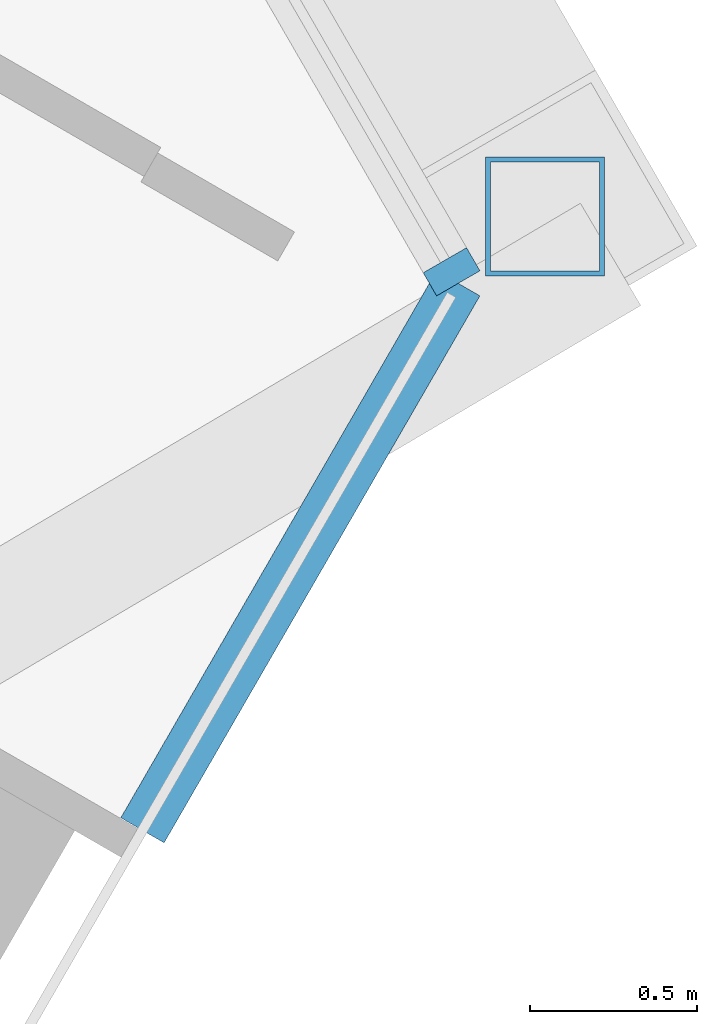
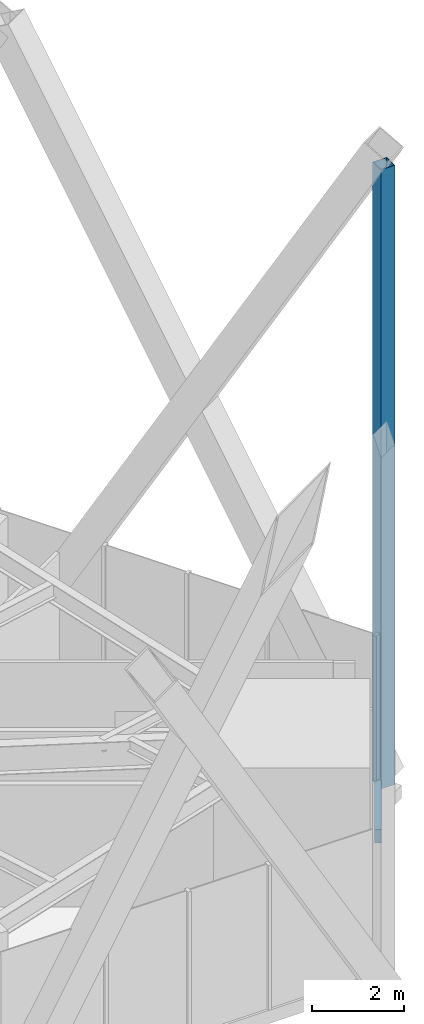
# One storey, part 12 of 23: 3 members, 2 elements without a shape of their own.
"""IFC4 building model written with IfcOpenShell, lengths in metres."""

from ifc_helpers import new_model, si_unit, direction, frame, origin, origin_2d, place, context, subcontext, project, spatial, rectangle, hollow_rectangle, extrude, material, layer, layer_set, material_profile, profile_set, type_object, element, aggregate, save


model = new_model("IFC4")

# Units and contexts
model_context = context("Model", 3, precision=1e-05, world=origin(), true_north=direction((0.0, 1.0)))
body_context = subcontext(model_context, "Body", "Model", "MODEL_VIEW")
ifc_project = project(units=[si_unit("LENGTHUNIT", "METRE"), si_unit("AREAUNIT", "SQUARE_METRE"), si_unit("VOLUMEUNIT", "CUBIC_METRE"), si_unit("PLANEANGLEUNIT", "RADIAN"), si_unit("MASSUNIT", "GRAM", prefix="KILO")], contexts=[model_context])

# Site, building, storey
site_placement = place(None, origin())
site = spatial("IfcSite", under=ifc_project, at=site_placement, CompositionType="ELEMENT")
building_placement = place(site_placement, origin())
building = spatial("IfcBuilding", under=site, at=building_placement, Name="Firuza Gate Tower and Library", CompositionType="ELEMENT")
storey_placement = place(building_placement, frame((0.0, 0.0, 56.800048828125)))
storey = spatial("IfcBuildingStorey", under=building, at=storey_placement, Name="L12", CompositionType="ELEMENT", Elevation=56.800048828125)

# Curtain wall, member
ifc_material_1 = material(Name="Aluminium 6063-T6", Category="aluminium")
ifc_layer_1 = layer(ifc_material_1, 0.14990234375)
ifc_layer_set_1 = layer_set([ifc_layer_1], Name="Unitised curtain wall, offices")
curtain_wall_type_1 = type_object("IfcCurtainWallType", Name="Unitised curtain wall, offices", PredefinedType="NOTDEFINED", material=ifc_layer_set_1)
placement = place(storey_placement, origin())
curtain_wall_1 = element("IfcCurtainWall", 1, at=placement, inside=storey, type_object=curtain_wall_type_1, Name="CW1 L12 E face", PredefinedType="NOTDEFINED")
ifc_material_2 = material(Name="Aluminium 6063-T6", Category="aluminium")
ifc_material_profile_1 = material_profile(ifc_material_2, rectangle(XDim=0.14990234375, YDim=0.080078125, at=origin_2d()))
ifc_profile_set_1 = profile_set([ifc_material_profile_1], Name="Aluminium 6063-T6")
member_type_1 = type_object("IfcMemberType", Name="Curtain wall mullion 80x150", PredefinedType="MULLION", material=ifc_profile_set_1)
member_1_placement = place(storey_placement, frame((107.27001953125, 60.598876953125, 0.14990234375), z_axis=(0.0, 0.0, 1.0), x_axis=(-0.866025403784, -0.5, 0.0)))
member_1 = element("IfcMember", 2, at=member_1_placement, type_object=member_type_1, Name="Mullion", PredefinedType="MULLION", context=body_context, shape_type="SweptSolid", body=[
    extrude(rectangle(XDim=0.14990234375, YDim=0.080078125, at=origin_2d()), origin(), (0.0, 0.0, 1.0), 3.85009765625),
])
aggregate(curtain_wall_1, [member_1])

ifc_material_3 = material(Name="Aluminium 6063-T6", Category="aluminium")
ifc_layer_2 = layer(ifc_material_3, 0.14990234375)
ifc_layer_set_2 = layer_set([ifc_layer_2], Name="Corner curtain wall, chamfers")
curtain_wall_type_2 = type_object("IfcCurtainWallType", Name="Corner curtain wall, chamfers", PredefinedType="NOTDEFINED", material=ifc_layer_set_2)
curtain_wall_2 = element("IfcCurtainWall", 3, at=placement, inside=storey, type_object=curtain_wall_type_2, Name="CW4 L12 SE corner", PredefinedType="NOTDEFINED")
ifc_material_4 = material(Name="Aluminium 6063-T6", Category="aluminium")
ifc_material_profile_2 = material_profile(ifc_material_4, rectangle(XDim=0.14990234375, YDim=0.35009765625, at=origin_2d()))
ifc_profile_set_2 = profile_set([ifc_material_profile_2], Name="Aluminium 6063-T6")
member_type_2 = type_object("IfcMemberType", Name="Curtain wall transom 350x150", PredefinedType="USERDEFINED", material=ifc_profile_set_2)
member_2_placement = place(storey_placement, frame((106.343994140625, 58.925537109375, -0.025146484375), z_axis=(0.499983064336, 0.866035181374, 0.0), x_axis=(-0.866035181374, 0.499983064336, 0.0)))
member_2 = element("IfcMember", 4, at=member_2_placement, type_object=member_type_2, Name="Transom", ObjectType="TRANSOM", PredefinedType="USERDEFINED", context=body_context, shape_type="SweptSolid", body=[
    extrude(rectangle(XDim=0.14990234375, YDim=0.35009765625, at=origin_2d()), origin(), (0.0, 0.0, 1.0), 1.89208984375),
])
aggregate(curtain_wall_2, [member_2])

# Member
ifc_material_5 = material(Name="Steel S355", Category="steel")
ifc_material_profile_3 = material_profile(ifc_material_5, hollow_rectangle(XDim=0.355712890625, YDim=0.355712890625, WallThickness=0.014892578125, at=origin_2d()))
ifc_profile_set_3 = profile_set([ifc_material_profile_3], Name="Steel S355")
member_type_3 = type_object("IfcMemberType", Name="HSS356x356x16 Lattice corner stile", PredefinedType="BRACE", material=ifc_profile_set_3)
member_3_placement = place(storey_placement, frame((107.5498046875, 60.764404296875, -0.14013671875), z_axis=(0.0, 0.0, 1.0), x_axis=(1.0, 0.0, 0.0)))
element("IfcMember", 5, at=member_3_placement, inside=storey, type_object=member_type_3, Name="Lattice corner stile E 2.A", PredefinedType="BRACE", context=body_context, shape_type="SweptSolid", body=[
    extrude(hollow_rectangle(XDim=0.355712890625, YDim=0.355712890625, WallThickness=0.014892578125, at=origin_2d()), origin(), (0.0, 0.0, 1.0), 16.440185546875),
])

save(model, "model.ifc")
